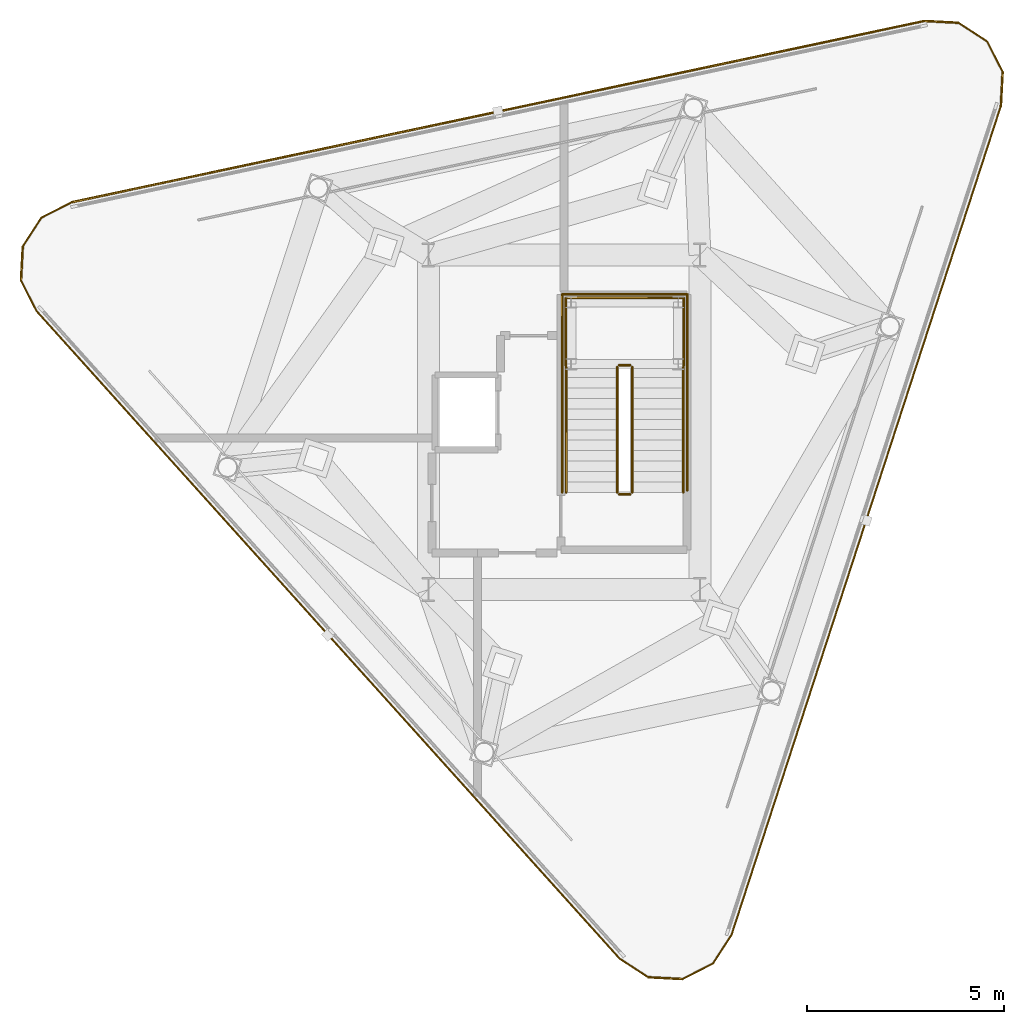
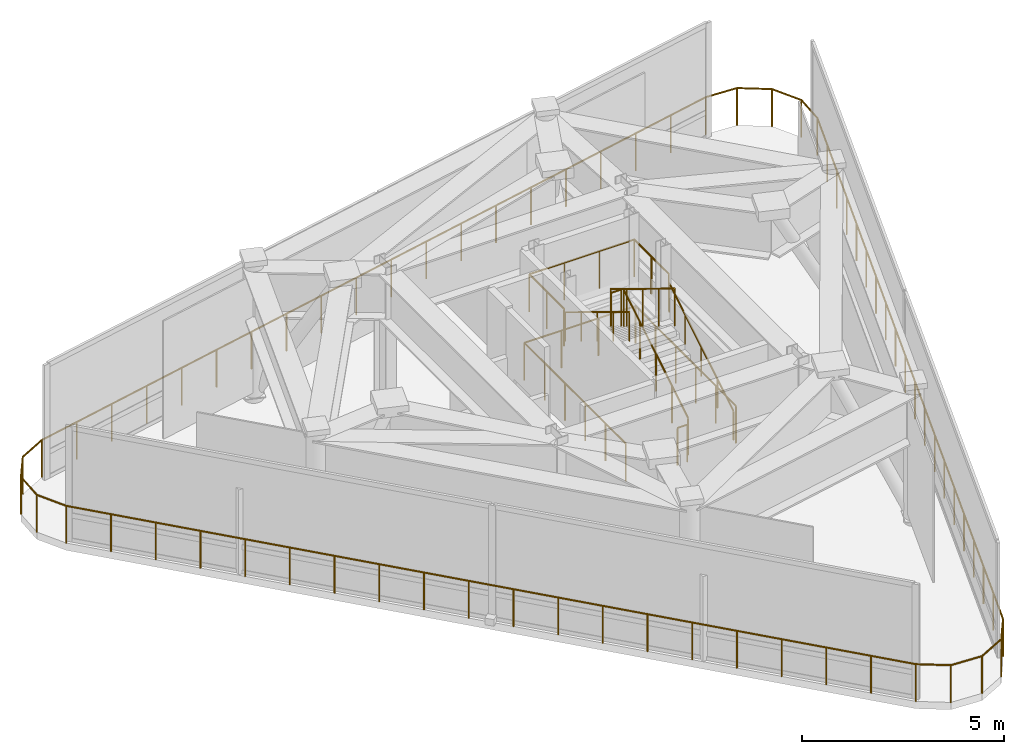
# One storey, part 4 of 4: 27 railings.
"""IFC4 building model written with IfcOpenShell, lengths in metres."""

from ifc_helpers import new_model, si_unit, direction, frame, origin, origin_2d, place, context, subcontext, project, spatial, circle, extrude, material, layer, layer_set, type_object, element, save


model = new_model("IFC4")

# Units and contexts
model_context = context("Model", 3, precision=1e-05, world=origin(), true_north=direction((0.0, 1.0)))
body_context = subcontext(model_context, "Body", "Model", "MODEL_VIEW")
ifc_project = project(units=[si_unit("LENGTHUNIT", "METRE"), si_unit("AREAUNIT", "SQUARE_METRE"), si_unit("VOLUMEUNIT", "CUBIC_METRE"), si_unit("PLANEANGLEUNIT", "RADIAN"), si_unit("MASSUNIT", "GRAM", prefix="KILO")], contexts=[model_context])

# Site, building, storey
site_placement = place(None, origin())
site = spatial("IfcSite", under=ifc_project, at=site_placement, CompositionType="ELEMENT")
building_placement = place(site_placement, origin())
building = spatial("IfcBuilding", under=site, at=building_placement, Name="Terralouvre Media Tower", CompositionType="ELEMENT")
storey_placement = place(building_placement, frame((0.0, 0.0, 330.800048828125)))
storey = spatial("IfcBuildingStorey", under=building, at=storey_placement, Name="L85", CompositionType="ELEMENT", Elevation=330.800048828125)

# Railings
ifc_material_1 = material(Name="Stainless steel 316 handrail and balustrade", Category="steel")
ifc_layer_1 = layer(ifc_material_1, 0.06005859375, Name="Roof Edge Safety Guardrail GR-ROOF1")
ifc_layer_set_1 = layer_set([ifc_layer_1], Name="Stainless steel 316 handrail and balustrade")
railing_type_1 = type_object("IfcRailingType", Name="Roof Edge Safety Guardrail GR-ROOF1", PredefinedType="GUARDRAIL", material=ifc_layer_set_1)
railing_1_placement = place(storey_placement, frame((1.4091796875, -13.62744140625, 0.0)))
element("IfcRailing", 1, at=railing_1_placement, inside=storey, type_object=railing_type_1, Name="L85 Crown Catwalk Safety Guardrail Edge 01", PredefinedType="GUARDRAIL", context=body_context, shape_type="SweptSolid", body=[
    extrude(circle(Radius=0.02392578125, at=origin_2d()), frame((0.0, 0.0, 1.1259765625), z_axis=(0.83864241451, -0.544682385051, 0.0), x_axis=(0.544682385051, 0.83864241451, 0.0)), (0.0, 0.0, 1.0), 0.86962890625),
    extrude(circle(Radius=0.02099609375, at=origin_2d()), origin(), (0.0, 0.0, 1.0), 1.101806640625),
    extrude(circle(Radius=0.02099609375, at=origin_2d()), frame((0.729248046875, -0.4736328125, 0.0)), (0.0, 0.0, 1.0), 1.101806640625),
])
railing_2_placement = place(storey_placement, frame((2.138427734375, -14.10107421875, 0.0)))
element("IfcRailing", 2, at=railing_2_placement, inside=storey, type_object=railing_type_1, Name="L85 Crown Catwalk Safety Guardrail Edge 02", PredefinedType="GUARDRAIL", context=body_context, shape_type="SweptSolid", body=[
    extrude(circle(Radius=0.02392578125, at=origin_2d()), frame((0.0, 0.0, 1.1259765625), z_axis=(0.998635609668, -0.052219910992, 0.0), x_axis=(0.052219910992, 0.998635609668, 0.0)), (0.0, 0.0, 1.0), 0.86962890625),
    extrude(circle(Radius=0.02099609375, at=origin_2d()), origin(), (0.0, 0.0, 1.0), 1.101806640625),
    extrude(circle(Radius=0.02099609375, at=origin_2d()), frame((0.868408203125, -0.04541015625, 0.0)), (0.0, 0.0, 1.0), 1.101806640625),
])
railing_3_placement = place(storey_placement, frame((3.0068359375, -14.146484375, 0.0)))
element("IfcRailing", 3, at=railing_3_placement, inside=storey, type_object=railing_type_1, Name="L85 Crown Catwalk Safety Guardrail Edge 03", PredefinedType="GUARDRAIL", context=body_context, shape_type="SweptSolid", body=[
    extrude(circle(Radius=0.02392578125, at=origin_2d()), frame((0.0, 0.0, 1.1259765625), z_axis=(0.891033069684, 0.453938397505, 0.0), x_axis=(-0.453938397505, 0.891033069684, 0.0)), (0.0, 0.0, 1.0), 0.86962890625),
    extrude(circle(Radius=0.02099609375, at=origin_2d()), origin(), (0.0, 0.0, 1.0), 1.101806640625),
    extrude(circle(Radius=0.02099609375, at=origin_2d()), frame((0.77490234375, 0.394775390625, 0.0)), (0.0, 0.0, 1.0), 1.101806640625),
])
railing_4_placement = place(storey_placement, frame((3.78173828125, -13.751708984375, 0.0)))
element("IfcRailing", 4, at=railing_4_placement, inside=storey, type_object=railing_type_1, Name="L85 Crown Catwalk Safety Guardrail Edge 04", PredefinedType="GUARDRAIL", context=body_context, shape_type="SweptSolid", body=[
    extrude(circle(Radius=0.02392578125, at=origin_2d()), frame((0.0, 0.0, 1.1259765625), z_axis=(0.544682385051, 0.83864241451, 0.0), x_axis=(-0.83864241451, 0.544682385051, 0.0)), (0.0, 0.0, 1.0), 0.86962890625),
    extrude(circle(Radius=0.02099609375, at=origin_2d()), origin(), (0.0, 0.0, 1.0), 1.101806640625),
    extrude(circle(Radius=0.02099609375, at=origin_2d()), frame((0.4736328125, 0.729248046875, 0.0)), (0.0, 0.0, 1.0), 1.101806640625),
])
railing_5_placement = place(storey_placement, frame((4.25537109375, -13.0224609375, 0.0)))
element("IfcRailing", 5, at=railing_5_placement, inside=storey, type_object=railing_type_1, Name="L85 Crown Catwalk Safety Guardrail Edge 05", PredefinedType="GUARDRAIL", context=body_context, shape_type="SweptSolid", body=[
    extrude(circle(Radius=0.02392578125, at=origin_2d()), frame((0.0, 0.0, 1.1259765625), z_axis=(0.309023487102, 0.951054406656, 0.0), x_axis=(-0.951054406656, 0.309023487102, 0.0)), (0.0, 0.0, 1.0), 22.14013671875),
    extrude(circle(Radius=0.02099609375, at=origin_2d()), origin(), (0.0, 0.0, 1.0), 1.101806640625),
    extrude(circle(Radius=0.02099609375, at=origin_2d()), frame((0.360107421875, 1.108154296875, 0.0)), (0.0, 0.0, 1.0), 1.101806640625),
    extrude(circle(Radius=0.02099609375, at=origin_2d()), frame((0.72021484375, 2.216552734375, 0.0)), (0.0, 0.0, 1.0), 1.101806640625),
    extrude(circle(Radius=0.02099609375, at=origin_2d()), frame((1.080322265625, 3.32470703125, 0.0)), (0.0, 0.0, 1.0), 1.101806640625),
    extrude(circle(Radius=0.02099609375, at=origin_2d()), frame((1.4404296875, 4.432861328125, 0.0)), (0.0, 0.0, 1.0), 1.101806640625),
    extrude(circle(Radius=0.02099609375, at=origin_2d()), frame((1.800537109375, 5.541259765625, 0.0)), (0.0, 0.0, 1.0), 1.101806640625),
    extrude(circle(Radius=0.02099609375, at=origin_2d()), frame((2.16064453125, 6.6494140625, 0.0)), (0.0, 0.0, 1.0), 1.101806640625),
    extrude(circle(Radius=0.02099609375, at=origin_2d()), frame((2.520751953125, 7.757568359375, 0.0)), (0.0, 0.0, 1.0), 1.101806640625),
    extrude(circle(Radius=0.02099609375, at=origin_2d()), frame((2.880859375, 8.865966796875, 0.0)), (0.0, 0.0, 1.0), 1.101806640625),
    extrude(circle(Radius=0.02099609375, at=origin_2d()), frame((3.240966796875, 9.97412109375, 0.0)), (0.0, 0.0, 1.0), 1.101806640625),
    extrude(circle(Radius=0.02099609375, at=origin_2d()), frame((3.600830078125, 11.082275390625, 0.0)), (0.0, 0.0, 1.0), 1.101806640625),
    extrude(circle(Radius=0.02099609375, at=origin_2d()), frame((3.9609375, 12.1904296875, 0.0)), (0.0, 0.0, 1.0), 1.101806640625),
    extrude(circle(Radius=0.02099609375, at=origin_2d()), frame((4.321044921875, 13.298828125, 0.0)), (0.0, 0.0, 1.0), 1.101806640625),
    extrude(circle(Radius=0.02099609375, at=origin_2d()), frame((4.68115234375, 14.406982421875, 0.0)), (0.0, 0.0, 1.0), 1.101806640625),
    extrude(circle(Radius=0.02099609375, at=origin_2d()), frame((5.041259765625, 15.51513671875, 0.0)), (0.0, 0.0, 1.0), 1.101806640625),
    extrude(circle(Radius=0.02099609375, at=origin_2d()), frame((5.4013671875, 16.62353515625, 0.0)), (0.0, 0.0, 1.0), 1.101806640625),
    extrude(circle(Radius=0.02099609375, at=origin_2d()), frame((5.761474609375, 17.731689453125, 0.0)), (0.0, 0.0, 1.0), 1.101806640625),
    extrude(circle(Radius=0.02099609375, at=origin_2d()), frame((6.12158203125, 18.83984375, 0.0)), (0.0, 0.0, 1.0), 1.101806640625),
    extrude(circle(Radius=0.02099609375, at=origin_2d()), frame((6.481689453125, 19.9482421875, 0.0)), (0.0, 0.0, 1.0), 1.101806640625),
    extrude(circle(Radius=0.02099609375, at=origin_2d()), frame((6.841796875, 21.056396484375, 0.0)), (0.0, 0.0, 1.0), 1.101806640625),
])
railing_6_placement = place(storey_placement, frame((11.09716796875, 8.033935546875, 0.0)))
element("IfcRailing", 6, at=railing_6_placement, inside=storey, type_object=railing_type_1, Name="L85 Crown Catwalk Safety Guardrail Edge 06", PredefinedType="GUARDRAIL", context=body_context, shape_type="SweptSolid", body=[
    extrude(circle(Radius=0.02392578125, at=origin_2d()), frame((0.0, 0.0, 1.1259765625), z_axis=(0.052205274238, 0.998636374934, 0.0), x_axis=(-0.998636374934, 0.052205274238, 0.0)), (0.0, 0.0, 1.0), 0.869873046875),
    extrude(circle(Radius=0.02099609375, at=origin_2d()), origin(), (0.0, 0.0, 1.0), 1.101806640625),
    extrude(circle(Radius=0.02099609375, at=origin_2d()), frame((0.04541015625, 0.86865234375, 0.0)), (0.0, 0.0, 1.0), 1.101806640625),
])
railing_7_placement = place(storey_placement, frame((11.142578125, 8.902587890625, 0.0)))
element("IfcRailing", 7, at=railing_7_placement, inside=storey, type_object=railing_type_1, Name="L85 Crown Catwalk Safety Guardrail Edge 07", PredefinedType="GUARDRAIL", context=body_context, shape_type="SweptSolid", body=[
    extrude(circle(Radius=0.02392578125, at=origin_2d()), frame((0.0, 0.0, 1.1259765625), z_axis=(-0.454051969743, 0.890975200986, 0.0), x_axis=(-0.890975200986, -0.454051969743, 0.0)), (0.0, 0.0, 1.0), 0.869384765625),
    extrude(circle(Radius=0.02099609375, at=origin_2d()), origin(), (0.0, 0.0, 1.0), 1.101806640625),
    extrude(circle(Radius=0.02099609375, at=origin_2d()), frame((-0.394775390625, 0.774658203125, 0.0)), (0.0, 0.0, 1.0), 1.101806640625),
])
railing_8_placement = place(storey_placement, frame((10.747802734375, 9.67724609375, 0.0)))
element("IfcRailing", 8, at=railing_8_placement, inside=storey, type_object=railing_type_1, Name="L85 Crown Catwalk Safety Guardrail Edge 08", PredefinedType="GUARDRAIL", context=body_context, shape_type="SweptSolid", body=[
    extrude(circle(Radius=0.02392578125, at=origin_2d()), frame((0.0, 0.0, 1.1259765625), z_axis=(-0.838725681888, 0.544554157584, 0.0), x_axis=(-0.544554157584, -0.838725681888, 0.0)), (0.0, 0.0, 1.0), 0.869873046875),
    extrude(circle(Radius=0.02099609375, at=origin_2d()), origin(), (0.0, 0.0, 1.0), 1.101806640625),
    extrude(circle(Radius=0.02099609375, at=origin_2d()), frame((-0.7294921875, 0.4736328125, 0.0)), (0.0, 0.0, 1.0), 1.101806640625),
])
railing_9_placement = place(storey_placement, frame((10.018310546875, 10.15087890625, 0.0)))
element("IfcRailing", 9, at=railing_9_placement, inside=storey, type_object=railing_type_1, Name="L85 Crown Catwalk Safety Guardrail Edge 09", PredefinedType="GUARDRAIL", context=body_context, shape_type="SweptSolid", body=[
    extrude(circle(Radius=0.02392578125, at=origin_2d()), frame((0.0, 0.0, 1.1259765625), z_axis=(-0.998620929782, 0.052499891445, 0.0), x_axis=(-0.052499891445, -0.998620929782, 0.0)), (0.0, 0.0, 1.0), 0.86962890625),
    extrude(circle(Radius=0.02099609375, at=origin_2d()), origin(), (0.0, 0.0, 1.0), 1.101806640625),
    extrude(circle(Radius=0.02099609375, at=origin_2d()), frame((-0.868408203125, 0.045654296875, 0.0)), (0.0, 0.0, 1.0), 1.101806640625),
])
railing_10_placement = place(storey_placement, frame((9.14990234375, 10.196533203125, 0.0)))
element("IfcRailing", 10, at=railing_10_placement, inside=storey, type_object=railing_type_1, Name="L85 Crown Catwalk Safety Guardrail Edge 10", PredefinedType="GUARDRAIL", context=body_context, shape_type="SweptSolid", body=[
    extrude(circle(Radius=0.02392578125, at=origin_2d()), frame((0.0, 0.0, 1.1259765625), z_axis=(-0.97814626568, -0.207917971651, 0.0), x_axis=(0.207917971651, -0.97814626568, 0.0)), (0.0, 0.0, 1.0), 22.139892578125),
    extrude(circle(Radius=0.02099609375, at=origin_2d()), origin(), (0.0, 0.0, 1.0), 1.101806640625),
    extrude(circle(Radius=0.02099609375, at=origin_2d()), frame((-1.139892578125, -0.2421875, 0.0)), (0.0, 0.0, 1.0), 1.101806640625),
    extrude(circle(Radius=0.02099609375, at=origin_2d()), frame((-2.279541015625, -0.484619140625, 0.0)), (0.0, 0.0, 1.0), 1.101806640625),
    extrude(circle(Radius=0.02099609375, at=origin_2d()), frame((-3.41943359375, -0.726806640625, 0.0)), (0.0, 0.0, 1.0), 1.101806640625),
    extrude(circle(Radius=0.02099609375, at=origin_2d()), frame((-4.55908203125, -0.968994140625, 0.0)), (0.0, 0.0, 1.0), 1.101806640625),
    extrude(circle(Radius=0.02099609375, at=origin_2d()), frame((-5.698974609375, -1.21142578125, 0.0)), (0.0, 0.0, 1.0), 1.101806640625),
    extrude(circle(Radius=0.02099609375, at=origin_2d()), frame((-6.838623046875, -1.45361328125, 0.0)), (0.0, 0.0, 1.0), 1.101806640625),
    extrude(circle(Radius=0.02099609375, at=origin_2d()), frame((-7.978515625, -1.696044921875, 0.0)), (0.0, 0.0, 1.0), 1.101806640625),
    extrude(circle(Radius=0.02099609375, at=origin_2d()), frame((-9.118408203125, -1.938232421875, 0.0)), (0.0, 0.0, 1.0), 1.101806640625),
    extrude(circle(Radius=0.02099609375, at=origin_2d()), frame((-10.258056640625, -2.180419921875, 0.0)), (0.0, 0.0, 1.0), 1.101806640625),
    extrude(circle(Radius=0.02099609375, at=origin_2d()), frame((-11.39794921875, -2.4228515625, 0.0)), (0.0, 0.0, 1.0), 1.101806640625),
    extrude(circle(Radius=0.02099609375, at=origin_2d()), frame((-12.53759765625, -2.6650390625, 0.0)), (0.0, 0.0, 1.0), 1.101806640625),
    extrude(circle(Radius=0.02099609375, at=origin_2d()), frame((-13.677490234375, -2.9072265625, 0.0)), (0.0, 0.0, 1.0), 1.101806640625),
    extrude(circle(Radius=0.02099609375, at=origin_2d()), frame((-14.8173828125, -3.149658203125, 0.0)), (0.0, 0.0, 1.0), 1.101806640625),
    extrude(circle(Radius=0.02099609375, at=origin_2d()), frame((-15.95703125, -3.391845703125, 0.0)), (0.0, 0.0, 1.0), 1.101806640625),
    extrude(circle(Radius=0.02099609375, at=origin_2d()), frame((-17.096923828125, -3.63427734375, 0.0)), (0.0, 0.0, 1.0), 1.101806640625),
    extrude(circle(Radius=0.02099609375, at=origin_2d()), frame((-18.236572265625, -3.87646484375, 0.0)), (0.0, 0.0, 1.0), 1.101806640625),
    extrude(circle(Radius=0.02099609375, at=origin_2d()), frame((-19.37646484375, -4.11865234375, 0.0)), (0.0, 0.0, 1.0), 1.101806640625),
    extrude(circle(Radius=0.02099609375, at=origin_2d()), frame((-20.51611328125, -4.361083984375, 0.0)), (0.0, 0.0, 1.0), 1.101806640625),
    extrude(circle(Radius=0.02099609375, at=origin_2d()), frame((-21.656005859375, -4.603271484375, 0.0)), (0.0, 0.0, 1.0), 1.101806640625),
])
railing_11_placement = place(storey_placement, frame((-12.506103515625, 5.59326171875, 0.0)))
element("IfcRailing", 11, at=railing_11_placement, inside=storey, type_object=railing_type_1, Name="L85 Crown Catwalk Safety Guardrail Edge 11", PredefinedType="GUARDRAIL", context=body_context, shape_type="SweptSolid", body=[
    extrude(circle(Radius=0.02392578125, at=origin_2d()), frame((0.0, 0.0, 1.1259765625), z_axis=(-0.891033069684, -0.453938397505, 0.0), x_axis=(0.453938397505, -0.891033069684, 0.0)), (0.0, 0.0, 1.0), 0.86962890625),
    extrude(circle(Radius=0.02099609375, at=origin_2d()), origin(), (0.0, 0.0, 1.0), 1.101806640625),
    extrude(circle(Radius=0.02099609375, at=origin_2d()), frame((-0.77490234375, -0.394775390625, 0.0)), (0.0, 0.0, 1.0), 1.101806640625),
])
railing_12_placement = place(storey_placement, frame((-13.281005859375, 5.198486328125, 0.0)))
element("IfcRailing", 12, at=railing_12_placement, inside=storey, type_object=railing_type_1, Name="L85 Crown Catwalk Safety Guardrail Edge 12", PredefinedType="GUARDRAIL", context=body_context, shape_type="SweptSolid", body=[
    extrude(circle(Radius=0.02392578125, at=origin_2d()), frame((0.0, 0.0, 1.1259765625), z_axis=(-0.544682385051, -0.83864241451, 0.0), x_axis=(0.83864241451, -0.544682385051, 0.0)), (0.0, 0.0, 1.0), 0.86962890625),
    extrude(circle(Radius=0.02099609375, at=origin_2d()), origin(), (0.0, 0.0, 1.0), 1.101806640625),
    extrude(circle(Radius=0.02099609375, at=origin_2d()), frame((-0.4736328125, -0.729248046875, 0.0)), (0.0, 0.0, 1.0), 1.101806640625),
])
railing_13_placement = place(storey_placement, frame((-13.754638671875, 4.46923828125, 0.0)))
element("IfcRailing", 13, at=railing_13_placement, inside=storey, type_object=railing_type_1, Name="L85 Crown Catwalk Safety Guardrail Edge 13", PredefinedType="GUARDRAIL", context=body_context, shape_type="SweptSolid", body=[
    extrude(circle(Radius=0.02392578125, at=origin_2d()), frame((0.0, 0.0, 1.1259765625), z_axis=(-0.052499891445, -0.998620929782, 0.0), x_axis=(0.998620929782, -0.052499891445, 0.0)), (0.0, 0.0, 1.0), 0.86962890625),
    extrude(circle(Radius=0.02099609375, at=origin_2d()), origin(), (0.0, 0.0, 1.0), 1.101806640625),
    extrude(circle(Radius=0.02099609375, at=origin_2d()), frame((-0.045654296875, -0.868408203125, 0.0)), (0.0, 0.0, 1.0), 1.101806640625),
])
railing_14_placement = place(storey_placement, frame((-13.80029296875, 3.600830078125, 0.0)))
element("IfcRailing", 14, at=railing_14_placement, inside=storey, type_object=railing_type_1, Name="L85 Crown Catwalk Safety Guardrail Edge 14", PredefinedType="GUARDRAIL", context=body_context, shape_type="SweptSolid", body=[
    extrude(circle(Radius=0.02392578125, at=origin_2d()), frame((0.0, 0.0, 1.1259765625), z_axis=(0.453938397505, -0.891033069684, 0.0), x_axis=(0.891033069684, 0.453938397505, 0.0)), (0.0, 0.0, 1.0), 0.86962890625),
    extrude(circle(Radius=0.02099609375, at=origin_2d()), origin(), (0.0, 0.0, 1.0), 1.101806640625),
    extrude(circle(Radius=0.02099609375, at=origin_2d()), frame((0.394775390625, -0.77490234375, 0.0)), (0.0, 0.0, 1.0), 1.101806640625),
])
railing_15_placement = place(storey_placement, frame((-13.405517578125, 2.825927734375, 0.0)))
element("IfcRailing", 15, at=railing_15_placement, inside=storey, type_object=railing_type_1, Name="L85 Crown Catwalk Safety Guardrail Edge 15", PredefinedType="GUARDRAIL", context=body_context, shape_type="SweptSolid", body=[
    extrude(circle(Radius=0.02392578125, at=origin_2d()), frame((0.0, 0.0, 1.1259765625), z_axis=(0.669131034125, -0.743144440315, 0.0), x_axis=(0.743144440315, 0.669131034125, 0.0)), (0.0, 0.0, 1.0), 22.14013671875),
    extrude(circle(Radius=0.02099609375, at=origin_2d()), origin(), (0.0, 0.0, 1.0), 1.101806640625),
    extrude(circle(Radius=0.02099609375, at=origin_2d()), frame((0.77978515625, -0.865966796875, 0.0)), (0.0, 0.0, 1.0), 1.101806640625),
    extrude(circle(Radius=0.02099609375, at=origin_2d()), frame((1.559326171875, -1.73193359375, 0.0)), (0.0, 0.0, 1.0), 1.101806640625),
    extrude(circle(Radius=0.02099609375, at=origin_2d()), frame((2.339111328125, -2.597900390625, 0.0)), (0.0, 0.0, 1.0), 1.101806640625),
    extrude(circle(Radius=0.02099609375, at=origin_2d()), frame((3.118896484375, -3.4638671875, 0.0)), (0.0, 0.0, 1.0), 1.101806640625),
    extrude(circle(Radius=0.02099609375, at=origin_2d()), frame((3.898681640625, -4.329833984375, 0.0)), (0.0, 0.0, 1.0), 1.101806640625),
    extrude(circle(Radius=0.02099609375, at=origin_2d()), frame((4.67822265625, -5.19580078125, 0.0)), (0.0, 0.0, 1.0), 1.101806640625),
    extrude(circle(Radius=0.02099609375, at=origin_2d()), frame((5.4580078125, -6.061767578125, 0.0)), (0.0, 0.0, 1.0), 1.101806640625),
    extrude(circle(Radius=0.02099609375, at=origin_2d()), frame((6.23779296875, -6.927734375, 0.0)), (0.0, 0.0, 1.0), 1.101806640625),
    extrude(circle(Radius=0.02099609375, at=origin_2d()), frame((7.017578125, -7.793701171875, 0.0)), (0.0, 0.0, 1.0), 1.101806640625),
    extrude(circle(Radius=0.02099609375, at=origin_2d()), frame((7.797119140625, -8.65966796875, 0.0)), (0.0, 0.0, 1.0), 1.101806640625),
    extrude(circle(Radius=0.02099609375, at=origin_2d()), frame((8.576904296875, -9.525634765625, 0.0)), (0.0, 0.0, 1.0), 1.101806640625),
    extrude(circle(Radius=0.02099609375, at=origin_2d()), frame((9.356689453125, -10.3916015625, 0.0)), (0.0, 0.0, 1.0), 1.101806640625),
    extrude(circle(Radius=0.02099609375, at=origin_2d()), frame((10.136474609375, -11.257568359375, 0.0)), (0.0, 0.0, 1.0), 1.101806640625),
    extrude(circle(Radius=0.02099609375, at=origin_2d()), frame((10.916015625, -12.12353515625, 0.0)), (0.0, 0.0, 1.0), 1.101806640625),
    extrude(circle(Radius=0.02099609375, at=origin_2d()), frame((11.69580078125, -12.989501953125, 0.0)), (0.0, 0.0, 1.0), 1.101806640625),
    extrude(circle(Radius=0.02099609375, at=origin_2d()), frame((12.4755859375, -13.85546875, 0.0)), (0.0, 0.0, 1.0), 1.101806640625),
    extrude(circle(Radius=0.02099609375, at=origin_2d()), frame((13.25537109375, -14.721435546875, 0.0)), (0.0, 0.0, 1.0), 1.101806640625),
    extrude(circle(Radius=0.02099609375, at=origin_2d()), frame((14.034912109375, -15.58740234375, 0.0)), (0.0, 0.0, 1.0), 1.101806640625),
    extrude(circle(Radius=0.02099609375, at=origin_2d()), frame((14.814697265625, -16.453369140625, 0.0)), (0.0, 0.0, 1.0), 1.101806640625),
])
ifc_material_2 = material(Name="Stainless steel 316 handrail and balustrade", Category="steel")
ifc_layer_2 = layer(ifc_material_2, 0.050048828125, Name="Stair Flight Wall Handrail HR-INT1")
ifc_layer_set_2 = layer_set([ifc_layer_2], Name="Stainless steel 316 handrail and balustrade")
railing_type_2 = type_object("IfcRailingType", Name="Stair Flight Wall Handrail HR-INT1", PredefinedType="HANDRAIL", material=ifc_layer_set_2)
railing_16_placement = place(storey_placement, frame((3.030029296875, -1.780029296875, 0.161376953125)))
element("IfcRailing", 16, at=railing_16_placement, inside=storey, type_object=railing_type_2, Name="L85 ST-05 stair handrail 1", PredefinedType="HANDRAIL", context=body_context, shape_type="SweptSolid", body=[
    extrude(circle(Radius=0.02392578125, at=origin_2d()), frame((0.0, 0.0, 0.8759765625), z_axis=(0.0, 0.853856579767, 0.520508348818), x_axis=(-1.0, 0.0, 0.0)), (0.0, 0.0, 1.0), 3.72412109375),
    extrude(circle(Radius=0.02099609375, at=origin_2d()), origin(), (0.0, 0.0, 1.0), 0.851806640625),
    extrude(circle(Radius=0.02099609375, at=origin_2d()), frame((0.0, 0.794921875, 0.484619140625)), (0.0, 0.0, 1.0), 0.851806640625),
    extrude(circle(Radius=0.02099609375, at=origin_2d()), frame((0.0, 1.58984375, 0.96923828125)), (0.0, 0.0, 1.0), 0.851806640625),
    extrude(circle(Radius=0.02099609375, at=origin_2d()), frame((0.0, 2.385009765625, 1.453857421875)), (0.0, 0.0, 1.0), 0.851806640625),
    extrude(circle(Radius=0.02099609375, at=origin_2d()), frame((0.0, 3.179931640625, 1.9384765625)), (0.0, 0.0, 1.0), 0.851806640625),
])
railing_17_placement = place(storey_placement, frame((0.050048828125, 1.39990234375, 2.261474609375)))
element("IfcRailing", 17, at=railing_17_placement, inside=storey, type_object=railing_type_2, Name="L85 ST-05 stair handrail 2", PredefinedType="HANDRAIL", context=body_context, shape_type="SweptSolid", body=[
    extrude(circle(Radius=0.02392578125, at=origin_2d()), frame((0.0, 0.0, 0.8759765625), z_axis=(0.0, -0.853856579767, 0.520508348818), x_axis=(1.0, 0.0, 0.0)), (0.0, 0.0, 1.0), 3.72412109375),
    extrude(circle(Radius=0.02099609375, at=origin_2d()), origin(), (0.0, 0.0, 1.0), 0.851806640625),
    extrude(circle(Radius=0.02099609375, at=origin_2d()), frame((0.0, -0.794921875, 0.484619140625)), (0.0, 0.0, 1.0), 0.851806640625),
    extrude(circle(Radius=0.02099609375, at=origin_2d()), frame((0.0, -1.58984375, 0.96923828125)), (0.0, 0.0, 1.0), 0.851806640625),
    extrude(circle(Radius=0.02099609375, at=origin_2d()), frame((0.0, -2.385009765625, 1.453857421875)), (0.0, 0.0, 1.0), 0.851806640625),
    extrude(circle(Radius=0.02099609375, at=origin_2d()), frame((0.0, -3.179931640625, 1.9384765625)), (0.0, 0.0, 1.0), 0.851806640625),
])
ifc_material_3 = material(Name="Stainless steel 316 handrail and balustrade", Category="steel")
ifc_layer_3 = layer(ifc_material_3, 0.050048828125, Name="Stairwell Safety Guardrail GR-INT1")
ifc_layer_set_3 = layer_set([ifc_layer_3], Name="Stainless steel 316 handrail and balustrade")
railing_type_3 = type_object("IfcRailingType", Name="Stairwell Safety Guardrail GR-INT1", PredefinedType="GUARDRAIL", material=ifc_layer_set_3)
railing_18_placement = place(storey_placement, frame((1.72998046875, -1.780029296875, 0.161376953125)))
element("IfcRailing", 18, at=railing_18_placement, inside=storey, type_object=railing_type_3, Name="L85 ST-05 stair guard 1", PredefinedType="GUARDRAIL", context=body_context, shape_type="SweptSolid", body=[
    extrude(circle(Radius=0.02392578125, at=origin_2d()), frame((0.0, 0.0, 1.1259765625), z_axis=(0.0, 0.853856579767, 0.520508348818), x_axis=(-1.0, 0.0, 0.0)), (0.0, 0.0, 1.0), 3.72412109375),
    extrude(circle(Radius=0.02099609375, at=origin_2d()), origin(), (0.0, 0.0, 1.0), 1.101806640625),
    extrude(circle(Radius=0.02099609375, at=origin_2d()), frame((0.0, 0.794921875, 0.484619140625)), (0.0, 0.0, 1.0), 1.101806640625),
    extrude(circle(Radius=0.02099609375, at=origin_2d()), frame((0.0, 1.58984375, 0.96923828125)), (0.0, 0.0, 1.0), 1.101806640625),
    extrude(circle(Radius=0.02099609375, at=origin_2d()), frame((0.0, 2.385009765625, 1.453857421875)), (0.0, 0.0, 1.0), 1.101806640625),
    extrude(circle(Radius=0.02099609375, at=origin_2d()), frame((0.0, 3.179931640625, 1.9384765625)), (0.0, 0.0, 1.0), 1.101806640625),
])
railing_19_placement = place(storey_placement, frame((1.679931640625, 1.449951171875, 2.099853515625)))
element("IfcRailing", 19, at=railing_19_placement, inside=storey, type_object=railing_type_3, Name="L85 ST-05 stair guard 2", PredefinedType="GUARDRAIL", context=body_context, shape_type="SweptSolid", body=[
    extrude(circle(Radius=0.02392578125, at=origin_2d()), frame((0.0, 0.0, 1.1259765625), z_axis=(-1.0, 0.0, 0.0), x_axis=(0.0, -1.0, 0.0)), (0.0, 0.0, 1.0), 0.280029296875),
    extrude(circle(Radius=0.02099609375, at=origin_2d()), origin(), (0.0, 0.0, 1.0), 1.101806640625),
    extrude(circle(Radius=0.02099609375, at=origin_2d()), frame((-0.280029296875, 0.0, 0.0)), (0.0, 0.0, 1.0), 1.101806640625),
])
railing_20_placement = place(storey_placement, frame((1.35009765625, 1.39990234375, 2.261474609375)))
element("IfcRailing", 20, at=railing_20_placement, inside=storey, type_object=railing_type_3, Name="L85 ST-05 stair guard 3", PredefinedType="GUARDRAIL", context=body_context, shape_type="SweptSolid", body=[
    extrude(circle(Radius=0.02392578125, at=origin_2d()), frame((0.0, 0.0, 1.1259765625), z_axis=(0.0, -0.853856579767, 0.520508348818), x_axis=(1.0, 0.0, 0.0)), (0.0, 0.0, 1.0), 3.72412109375),
    extrude(circle(Radius=0.02099609375, at=origin_2d()), origin(), (0.0, 0.0, 1.0), 1.101806640625),
    extrude(circle(Radius=0.02099609375, at=origin_2d()), frame((0.0, -0.794921875, 0.484619140625)), (0.0, 0.0, 1.0), 1.101806640625),
    extrude(circle(Radius=0.02099609375, at=origin_2d()), frame((0.0, -1.58984375, 0.96923828125)), (0.0, 0.0, 1.0), 1.101806640625),
    extrude(circle(Radius=0.02099609375, at=origin_2d()), frame((0.0, -2.385009765625, 1.453857421875)), (0.0, 0.0, 1.0), 1.101806640625),
    extrude(circle(Radius=0.02099609375, at=origin_2d()), frame((0.0, -3.179931640625, 1.9384765625)), (0.0, 0.0, 1.0), 1.101806640625),
])
railing_21_placement = place(storey_placement, frame((1.679931640625, -1.830078125, 0.0)))
element("IfcRailing", 21, at=railing_21_placement, inside=storey, type_object=railing_type_3, Name="L85 ST-05 stair guard 4", PredefinedType="GUARDRAIL", context=body_context, shape_type="SweptSolid", body=[
    extrude(circle(Radius=0.02392578125, at=origin_2d()), frame((0.0, 0.0, 1.1259765625), z_axis=(-1.0, 0.0, 0.0), x_axis=(0.0, -1.0, 0.0)), (0.0, 0.0, 1.0), 0.280029296875),
    extrude(circle(Radius=0.02099609375, at=origin_2d()), origin(), (0.0, 0.0, 1.0), 1.101806640625),
    extrude(circle(Radius=0.02099609375, at=origin_2d()), frame((-0.280029296875, 0.0, 0.0)), (0.0, 0.0, 1.0), 1.101806640625),
])
for number, where, name in (
    (22, (0.0400390625, 1.43994140625, 2.099853515625), "L85 ST-05 Half-Landing West Guardrail"),
    (23, (3.0400390625, 1.43994140625, 2.099853515625), "L85 ST-05 Half-Landing East Guardrail"),
):
    element("IfcRailing", number, at=place(storey_placement, frame(where)), inside=storey, type_object=railing_type_3, Name=name, PredefinedType="GUARDRAIL", context=body_context, shape_type="SweptSolid", body=[
        extrude(circle(Radius=0.02392578125, at=origin_2d()), frame((0.0, 0.0, 1.1259765625), z_axis=(0.0, 1.0, 0.0), x_axis=(-1.0, 0.0, 0.0)), (0.0, 0.0, 1.0), 1.719970703125),
        extrude(circle(Radius=0.02099609375, at=origin_2d()), origin(), (0.0, 0.0, 1.0), 1.101806640625),
        extrude(circle(Radius=0.02099609375, at=origin_2d()), frame((0.0, 0.85986328125, 0.0)), (0.0, 0.0, 1.0), 1.101806640625),
        extrude(circle(Radius=0.02099609375, at=origin_2d()), frame((0.0, 1.719970703125, 0.0)), (0.0, 0.0, 1.0), 1.101806640625),
    ])
railing_22_placement = place(storey_placement, frame((0.0400390625, 3.159912109375, 2.099853515625)))
element("IfcRailing", 24, at=railing_22_placement, inside=storey, type_object=railing_type_3, Name="L85 ST-05 Half-Landing North Guardrail", PredefinedType="GUARDRAIL", context=body_context, shape_type="SweptSolid", body=[
    extrude(circle(Radius=0.02392578125, at=origin_2d()), frame((0.0, 0.0, 1.1259765625), z_axis=(1.0, 0.0, 0.0), x_axis=(0.0, 1.0, 0.0)), (0.0, 0.0, 1.0), 3.0),
    extrude(circle(Radius=0.02099609375, at=origin_2d()), origin(), (0.0, 0.0, 1.0), 1.101806640625),
    extrude(circle(Radius=0.02099609375, at=origin_2d()), frame((1.0, 0.0, 0.0)), (0.0, 0.0, 1.0), 1.101806640625),
    extrude(circle(Radius=0.02099609375, at=origin_2d()), frame((2.0, 0.0, 0.0)), (0.0, 0.0, 1.0), 1.101806640625),
    extrude(circle(Radius=0.02099609375, at=origin_2d()), frame((3.0, 0.0, 0.0)), (0.0, 0.0, 1.0), 1.101806640625),
])
railing_23_placement = place(storey_placement, frame((-0.050048828125, -1.780029296875, 0.0)))
element("IfcRailing", 25, at=railing_23_placement, inside=storey, type_object=railing_type_3, Name="L85 ST-05 Floor Well West Guardrail", PredefinedType="GUARDRAIL", context=body_context, shape_type="SweptSolid", body=[
    extrude(circle(Radius=0.02392578125, at=origin_2d()), frame((0.0, 0.0, 1.1259765625), z_axis=(0.0, 1.0, 0.0), x_axis=(-1.0, 0.0, 0.0)), (0.0, 0.0, 1.0), 5.030029296875),
    extrude(circle(Radius=0.02099609375, at=origin_2d()), origin(), (0.0, 0.0, 1.0), 1.101806640625),
    extrude(circle(Radius=0.02099609375, at=origin_2d()), frame((0.0, 1.006103515625, 0.0)), (0.0, 0.0, 1.0), 1.101806640625),
    extrude(circle(Radius=0.02099609375, at=origin_2d()), frame((0.0, 2.011962890625, 0.0)), (0.0, 0.0, 1.0), 1.101806640625),
    extrude(circle(Radius=0.02099609375, at=origin_2d()), frame((0.0, 3.01806640625, 0.0)), (0.0, 0.0, 1.0), 1.101806640625),
    extrude(circle(Radius=0.02099609375, at=origin_2d()), frame((0.0, 4.02392578125, 0.0)), (0.0, 0.0, 1.0), 1.101806640625),
    extrude(circle(Radius=0.02099609375, at=origin_2d()), frame((0.0, 5.030029296875, 0.0)), (0.0, 0.0, 1.0), 1.101806640625),
])
railing_24_placement = place(storey_placement, frame((-0.050048828125, 3.25, 0.0)))
element("IfcRailing", 26, at=railing_24_placement, inside=storey, type_object=railing_type_3, Name="L85 ST-05 Floor Well North Guardrail", PredefinedType="GUARDRAIL", context=body_context, shape_type="SweptSolid", body=[
    extrude(circle(Radius=0.02392578125, at=origin_2d()), frame((0.0, 0.0, 1.1259765625), z_axis=(1.0, 0.0, 0.0), x_axis=(0.0, 1.0, 0.0)), (0.0, 0.0, 1.0), 3.179931640625),
    extrude(circle(Radius=0.02099609375, at=origin_2d()), origin(), (0.0, 0.0, 1.0), 1.101806640625),
    extrude(circle(Radius=0.02099609375, at=origin_2d()), frame((1.06005859375, 0.0, 0.0)), (0.0, 0.0, 1.0), 1.101806640625),
    extrude(circle(Radius=0.02099609375, at=origin_2d()), frame((2.119873046875, 0.0, 0.0)), (0.0, 0.0, 1.0), 1.101806640625),
    extrude(circle(Radius=0.02099609375, at=origin_2d()), frame((3.179931640625, 0.0, 0.0)), (0.0, 0.0, 1.0), 1.101806640625),
])
railing_25_placement = place(storey_placement, frame((3.1298828125, -1.72998046875, 0.0)))
element("IfcRailing", 27, at=railing_25_placement, inside=storey, type_object=railing_type_3, Name="L85 ST-05 Floor Well East Guardrail", PredefinedType="GUARDRAIL", context=body_context, shape_type="SweptSolid", body=[
    extrude(circle(Radius=0.02392578125, at=origin_2d()), frame((0.0, 0.0, 1.1259765625), z_axis=(0.0, 1.0, 0.0), x_axis=(-1.0, 0.0, 0.0)), (0.0, 0.0, 1.0), 4.97998046875),
    extrude(circle(Radius=0.02099609375, at=origin_2d()), origin(), (0.0, 0.0, 1.0), 1.101806640625),
    extrude(circle(Radius=0.02099609375, at=origin_2d()), frame((0.0, 0.99609375, 0.0)), (0.0, 0.0, 1.0), 1.101806640625),
    extrude(circle(Radius=0.02099609375, at=origin_2d()), frame((0.0, 1.991943359375, 0.0)), (0.0, 0.0, 1.0), 1.101806640625),
    extrude(circle(Radius=0.02099609375, at=origin_2d()), frame((0.0, 2.988037109375, 0.0)), (0.0, 0.0, 1.0), 1.101806640625),
    extrude(circle(Radius=0.02099609375, at=origin_2d()), frame((0.0, 3.98388671875, 0.0)), (0.0, 0.0, 1.0), 1.101806640625),
    extrude(circle(Radius=0.02099609375, at=origin_2d()), frame((0.0, 4.97998046875, 0.0)), (0.0, 0.0, 1.0), 1.101806640625),
])

save(model, "model.ifc")
